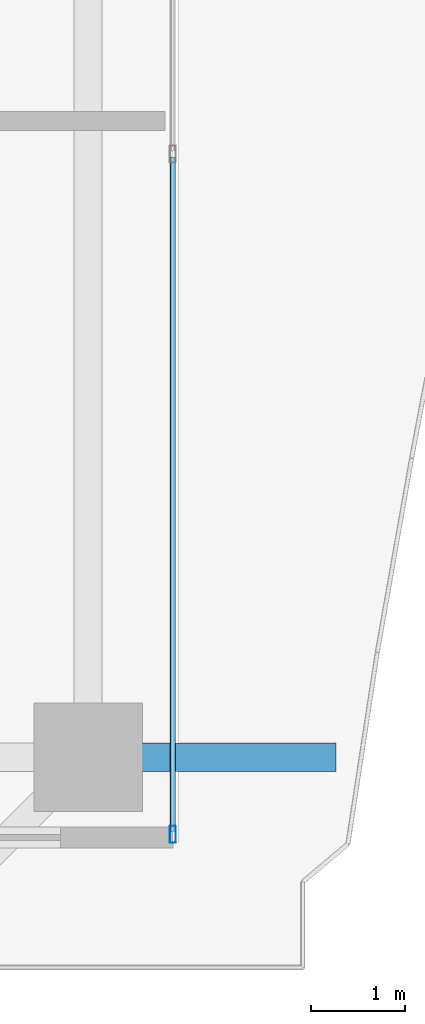
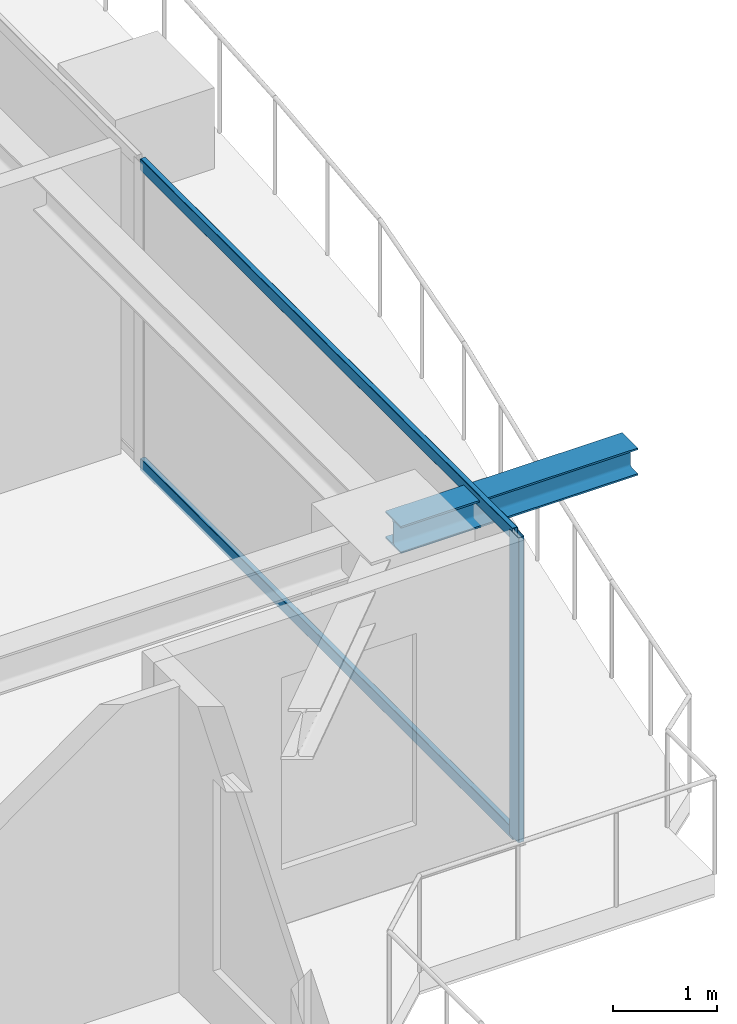
# One storey, part 13 of 37: 3 members, 1 beam, 1 element without a shape of its own.
"""IFC4 building model written with IfcOpenShell, lengths in metres."""

from ifc_helpers import new_model, si_unit, direction, frame, origin, origin_2d, place, context, subcontext, project, spatial, hollow_rectangle, i_section, extrude, source, transform, mapped, material, layer, layer_set, material_profile, profile_set, type_object, element, aggregate, save


model = new_model("IFC4")

# Units and contexts
model_context = context("Model", 3, precision=1e-05, world=origin(), true_north=direction((0.0, 1.0)))
body_context = subcontext(model_context, "Body", "Model", "MODEL_VIEW")
ifc_project = project(units=[si_unit("LENGTHUNIT", "METRE"), si_unit("AREAUNIT", "SQUARE_METRE"), si_unit("VOLUMEUNIT", "CUBIC_METRE"), si_unit("PLANEANGLEUNIT", "RADIAN"), si_unit("MASSUNIT", "GRAM", prefix="KILO")], contexts=[model_context])

# Site, building, storey
site_placement = place(None, origin())
site = spatial("IfcSite", under=ifc_project, at=site_placement, CompositionType="ELEMENT")
building_placement = place(site_placement, origin())
building = spatial("IfcBuilding", under=site, at=building_placement, Name="Serunith Strait Residences", CompositionType="ELEMENT")
storey_placement = place(building_placement, frame((0.0, 0.0, 275.89990234375)))
storey = spatial("IfcBuildingStorey", under=building, at=storey_placement, Name="L69", CompositionType="ELEMENT", Elevation=275.89990234375)

# Beam
ifc_material_1 = material(Name="Steel S355J2", Category="steel")
ifc_material_profile_1 = material_profile(ifc_material_1, i_section(OverallWidth=0.300048828125, OverallDepth=0.320068359375, WebThickness=0.011474609375, FlangeThickness=0.0205078125, FilletRadius=0.027099609375, at=origin_2d()), Name="HEB 320")
ifc_profile_set_1 = profile_set([ifc_material_profile_1], Name="Steel S355J2")
beam_type = type_object("IfcBeamType", Name="BM-HEB320", PredefinedType="BEAM", material=ifc_profile_set_1)
shared_shape_1 = source(origin(), body_context, "Body", "SweptSolid", [
    extrude(i_section(OverallWidth=0.300048828125, OverallDepth=0.320068359375, WebThickness=0.011474609375, FlangeThickness=0.0205078125, FilletRadius=0.027099609375, at=origin_2d()), origin(), (0.0, 0.0, 1.0), 2.629638671875),
])
beam_placement = place(storey_placement, frame((56.5, 10.050048828125, 3.397216796875), z_axis=(1.0, 0.0, 0.0), x_axis=(0.0, 1.0, 0.0)))
element("IfcBeam", 1, at=beam_placement, inside=storey, type_object=beam_type, Name="L70 Cantilevered Balcony Rib TC-E1", PredefinedType="BEAM", context=body_context, shape_type="MappedRepresentation", body=[
    mapped(shared_shape_1, transform((0.0, 0.0, 0.0), scale=1.0)),
])

# Curtain wall, members
ifc_material_2 = material(Name="Pale-Champagne Anodised Aluminium", Category="aluminium")
ifc_layer = layer(ifc_material_2, 0.199951171875, Name="Pale-Champagne Anodised Aluminium")
ifc_layer_set = layer_set([ifc_layer], Name="Pale-Champagne Anodised Aluminium")
curtain_wall_type = type_object("IfcCurtainWallType", Name="CW-SYS4", PredefinedType="NOTDEFINED", material=ifc_layer_set)
curtain_wall_placement = place(storey_placement, origin())
curtain_wall = element("IfcCurtainWall", 2, at=curtain_wall_placement, inside=storey, type_object=curtain_wall_type, Name="L69 E Unitised Fritted Curtain Wall", PredefinedType="NOTDEFINED")
ifc_material_profile_2 = material_profile(ifc_material_2, hollow_rectangle(XDim=0.06005859375, YDim=0.139892578125, WallThickness=0.00341796875, InnerFilletRadius=0.00537109375, OuterFilletRadius=0.0087890625, at=origin_2d()), Name="ALU 140x60x3.5")
ifc_profile_set_2 = profile_set([ifc_material_profile_2], Name="Pale-Champagne Anodised Aluminium")
member_type_1 = type_object("IfcMemberType", Name="CW-SYS4-TRAN", PredefinedType="USERDEFINED", material=ifc_profile_set_2)
shared_shape_2 = source(origin(), body_context, "Body", "SweptSolid", [
    extrude(hollow_rectangle(XDim=0.06005859375, YDim=0.139892578125, WallThickness=0.00341796875, InnerFilletRadius=0.00537109375, OuterFilletRadius=0.0087890625, at=origin_2d()), origin(), (0.0, 0.0, 1.0), 7.152587890625),
])
member_1_placement = place(storey_placement, frame((57.39990234375, 9.264892578125, 0.030029296875), z_axis=(0.0, 1.0, 0.0), x_axis=(-1.0, 0.0, 0.0)))
member_1 = element("IfcMember", 3, at=member_1_placement, type_object=member_type_1, Name="CW-4 transom 1.1", ObjectType="TRANSOM", PredefinedType="USERDEFINED", context=body_context, shape_type="MappedRepresentation", body=[
    mapped(shared_shape_2, transform((0.0, 0.0, 0.0), scale=1.0)),
])
member_2_placement = place(storey_placement, frame((57.39990234375, 9.264892578125, 3.545166015625), z_axis=(0.0, 1.0, 0.0), x_axis=(-1.0, 0.0, 0.0)))
member_2 = element("IfcMember", 4, at=member_2_placement, type_object=member_type_1, Name="CW-4 transom 1.2", ObjectType="TRANSOM", PredefinedType="USERDEFINED", context=body_context, shape_type="MappedRepresentation", body=[
    mapped(shared_shape_2, transform((0.0, 0.0, 0.0), scale=1.0)),
])
ifc_material_profile_3 = material_profile(ifc_material_2, hollow_rectangle(XDim=0.06494140625, YDim=0.179931640625, WallThickness=0.00341796875, InnerFilletRadius=0.00537109375, OuterFilletRadius=0.0087890625, at=origin_2d()), Name="ALU 180x65x3.5")
ifc_profile_set_3 = profile_set([ifc_material_profile_3], Name="Pale-Champagne Anodised Aluminium")
member_type_2 = type_object("IfcMemberType", Name="CW-SYS4-MULL", PredefinedType="MULLION", material=ifc_profile_set_3)
shared_shape_3 = source(origin(), body_context, "Body", "SweptSolid", [
    extrude(hollow_rectangle(XDim=0.06494140625, YDim=0.179931640625, WallThickness=0.00341796875, InnerFilletRadius=0.00537109375, OuterFilletRadius=0.0087890625, at=origin_2d()), origin(), (0.0, 0.0, 1.0), 3.5751953125),
])
member_3_placement = place(storey_placement, frame((57.39990234375, 9.232421875, 0.0), z_axis=(0.0, 0.0, 1.0), x_axis=(-1.0, 0.0, 0.0)))
member_3 = element("IfcMember", 5, at=member_3_placement, type_object=member_type_2, Name="CW-4 mullion 1", PredefinedType="MULLION", context=body_context, shape_type="MappedRepresentation", body=[
    mapped(shared_shape_3, transform((0.0, 0.0, 0.0), scale=1.0)),
])
aggregate(curtain_wall, [member_3, member_1, member_2])

save(model, "model.ifc")
